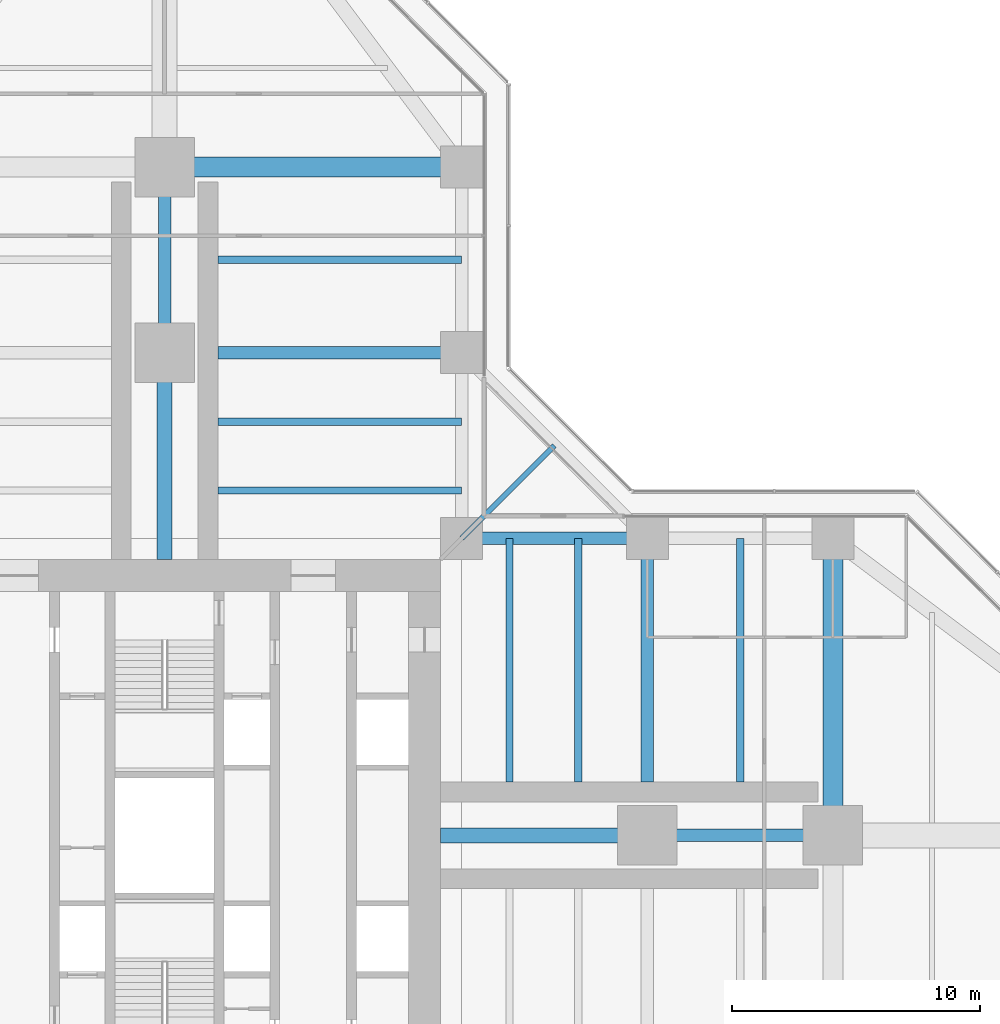
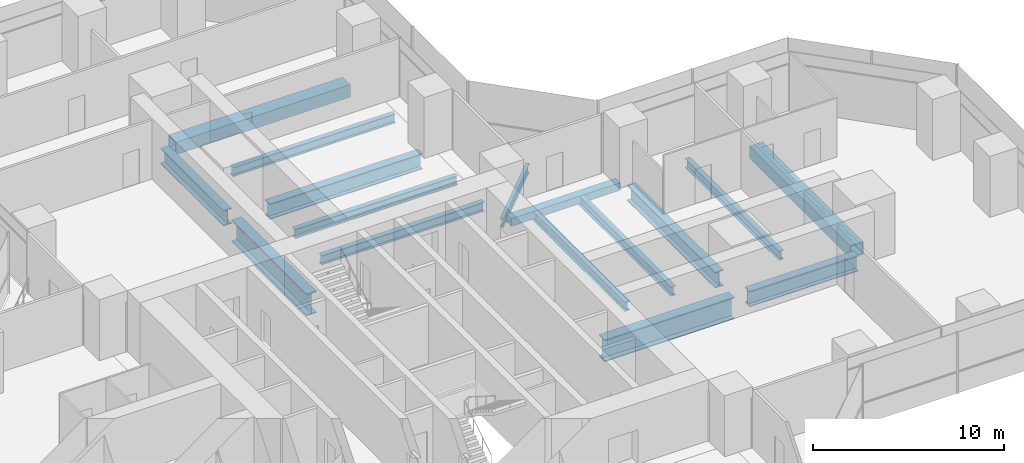
# One storey, part 10 of 22: 16 beams.
"""IFC4 building model written with IfcOpenShell, lengths in metres."""

from ifc_helpers import new_model, si_unit, direction, frame, origin, origin_2d, place, context, subcontext, project, spatial, hollow_rectangle, i_section, extrude, material, material_profile, profile_set, type_object, element, save


model = new_model("IFC4")

# Units and contexts
model_context = context("Model", 3, precision=1e-05, world=origin(), true_north=direction((0.0, 1.0)))
body_context = subcontext(model_context, "Body", "Model", "MODEL_VIEW")
ifc_project = project(units=[si_unit("LENGTHUNIT", "METRE"), si_unit("AREAUNIT", "SQUARE_METRE"), si_unit("VOLUMEUNIT", "CUBIC_METRE"), si_unit("PLANEANGLEUNIT", "RADIAN"), si_unit("MASSUNIT", "GRAM", prefix="KILO")], contexts=[model_context])

# Site, building, storey
site_placement = place(None, origin())
site = spatial("IfcSite", under=ifc_project, at=site_placement, CompositionType="ELEMENT")
building_placement = place(site_placement, origin())
building = spatial("IfcBuilding", under=site, at=building_placement, Name="Mizan Broadcast Tower", CompositionType="ELEMENT")
storey_placement = place(building_placement, frame((0.0, 0.0, 94.199951171875)))
storey = spatial("IfcBuildingStorey", under=building, at=storey_placement, Name="L20", CompositionType="ELEMENT", Elevation=94.199951171875)

# Beams
ifc_material_1 = material(Name="Steel S355", Category="steel")
ifc_material_profile_1 = material_profile(ifc_material_1, hollow_rectangle(XDim=0.5, YDim=0.5, WallThickness=0.030029296875, at=origin_2d()), Name="BOX 500x500x30")
ifc_profile_set_1 = profile_set([ifc_material_profile_1], Name="Steel S355")
beam_type_1 = type_object("IfcBeamType", Name="EDGE BEAM BOX 500x500x30", PredefinedType="SPANDREL", material=ifc_profile_set_1)
beam_1_placement = place(storey_placement, frame((12.449951171875, 12.0, -0.3798828125), z_axis=(1.0, 0.0, 0.0), x_axis=(0.0, 1.0, 0.0)))
element("IfcBeam", 1, at=beam_1_placement, inside=storey, type_object=beam_type_1, Name="Edge beam BOX 500x500x30 L20 east arm", PredefinedType="SPANDREL", context=body_context, shape_type="SweptSolid", body=[
    extrude(hollow_rectangle(XDim=0.5, YDim=0.5, WallThickness=0.030029296875, at=origin_2d()), origin(), (0.0, 0.0, 1.0), 6.60009765625),
])
ifc_material_2 = material(Name="Steel S460", Category="steel")
ifc_material_profile_2 = material_profile(ifc_material_2, hollow_rectangle(XDim=0.800048828125, YDim=0.800048828125, WallThickness=0.050048828125, at=origin_2d()), Name="BOX 800x800x50")
ifc_profile_set_2 = profile_set([ifc_material_profile_2], Name="Steel S460")
beam_type_2 = type_object("IfcBeamType", Name="GIRDER BOX 800x800x50", PredefinedType="BEAM", material=ifc_profile_set_2)
for number, where, z_axis, x_axis, name in (
    (2, (27.0, 11.280029296875, -0.530029296875), (0.0, -1.0, 0.0), (1.0, 0.0, 0.0), "Girder BOX 800x800x50 L20 east arm"),
    (3, (11.280029296875, 27.0, -0.530029296875), (-1.0, 0.0, 0.0), (0.0, -1.0, 0.0), "Girder BOX 800x800x50 L20 north arm"),
):
    element("IfcBeam", number, at=place(storey_placement, frame(where, z_axis=z_axis, x_axis=x_axis)), inside=storey, type_object=beam_type_2, Name=name, PredefinedType="BEAM", context=body_context, shape_type="SweptSolid", body=[
        extrude(hollow_rectangle(XDim=0.800048828125, YDim=0.800048828125, WallThickness=0.050048828125, at=origin_2d()), origin(), (0.0, 0.0, 1.0), 10.56005859375),
    ])
ifc_material_3 = material(Name="Steel S460", Category="steel")
ifc_material_profile_3 = material_profile(ifc_material_3, i_section(OverallWidth=0.5, OverallDepth=1.0, WebThickness=0.02490234375, FlangeThickness=0.050048828125, at=origin_2d()), Name="WPG 1000x500")
ifc_profile_set_3 = profile_set([ifc_material_profile_3], Name="Steel S460")
beam_type_3 = type_object("IfcBeamType", Name="GIRDER WPG 1000x500", PredefinedType="BEAM", material=ifc_profile_set_3)
beam_2_placement = place(storey_placement, frame((19.949951171875, 0.0, -0.6298828125), z_axis=(1.0, 0.0, 0.0), x_axis=(0.0, 1.0, 0.0)))
element("IfcBeam", 4, at=beam_2_placement, inside=storey, type_object=beam_type_3, Name="Girder WPG 1000x500 L20 east arm", PredefinedType="BEAM", context=body_context, shape_type="SweptSolid", body=[
    extrude(i_section(OverallWidth=0.5, OverallDepth=1.0, WebThickness=0.02490234375, FlangeThickness=0.050048828125, at=origin_2d()), origin(), (0.0, 0.0, 1.0), 6.60009765625),
])
beam_3_placement = place(storey_placement, frame((19.5, 11.408935546875, -0.6298828125), z_axis=(0.0, -1.0, 0.0), x_axis=(1.0, 0.0, 0.0)))
element("IfcBeam", 5, at=beam_3_placement, inside=storey, type_object=beam_type_3, Name="Girder WPG 1000x500 L20 east arm", PredefinedType="BEAM", context=body_context, shape_type="SweptSolid", body=[
    extrude(i_section(OverallWidth=0.5, OverallDepth=1.0, WebThickness=0.02490234375, FlangeThickness=0.050048828125, at=origin_2d()), origin(), (0.0, 0.0, 1.0), 9.259033203125),
])
beam_4_placement = place(storey_placement, frame((0.0, 19.949951171875, -0.6298828125), z_axis=(0.0, 1.0, 0.0), x_axis=(-1.0, 0.0, 0.0)))
element("IfcBeam", 6, at=beam_4_placement, inside=storey, type_object=beam_type_3, Name="Girder WPG 1000x500 L20 north arm", PredefinedType="BEAM", context=body_context, shape_type="SweptSolid", body=[
    extrude(i_section(OverallWidth=0.5, OverallDepth=1.0, WebThickness=0.02490234375, FlangeThickness=0.050048828125, at=origin_2d()), origin(), (0.0, 0.0, 1.0), 6.60009765625),
])
beam_5_placement = place(storey_placement, frame((11.408935546875, 19.5, -0.6298828125), z_axis=(-1.0, 0.0, 0.0), x_axis=(0.0, -1.0, 0.0)))
element("IfcBeam", 7, at=beam_5_placement, inside=storey, type_object=beam_type_3, Name="Girder WPG 1000x500 L20 north arm", PredefinedType="BEAM", context=body_context, shape_type="SweptSolid", body=[
    extrude(i_section(OverallWidth=0.5, OverallDepth=1.0, WebThickness=0.02490234375, FlangeThickness=0.050048828125, at=origin_2d()), origin(), (0.0, 0.0, 1.0), 9.259033203125),
])
ifc_material_4 = material(Name="Steel S460", Category="steel")
ifc_material_profile_4 = material_profile(ifc_material_4, i_section(OverallWidth=0.60009765625, OverallDepth=1.39990234375, WebThickness=0.02490234375, FlangeThickness=0.06005859375, at=origin_2d()), Name="WPG 1400x600")
ifc_profile_set_4 = profile_set([ifc_material_profile_4], Name="Steel S460")
beam_type_4 = type_object("IfcBeamType", Name="GIRDER WPG 1400x600", PredefinedType="BEAM", material=ifc_profile_set_4)
for number, where, z_axis, x_axis, name in (
    (8, (11.14990234375, 0.0, -0.829833984375), (1.0, 0.0, 0.0), (0.0, 1.0, 0.0), "Girder WPG 1400x600 L20 east arm"),
    (9, (0.0, 11.14990234375, -0.829833984375), (0.0, 1.0, 0.0), (-1.0, 0.0, 0.0), "Girder WPG 1400x600 L20 north arm"),
):
    element("IfcBeam", number, at=place(storey_placement, frame(where, z_axis=z_axis, x_axis=x_axis)), inside=storey, type_object=beam_type_4, Name=name, PredefinedType="BEAM", context=body_context, shape_type="SweptSolid", body=[
        extrude(i_section(OverallWidth=0.60009765625, OverallDepth=1.39990234375, WebThickness=0.02490234375, FlangeThickness=0.06005859375, at=origin_2d()), origin(), (0.0, 0.0, 1.0), 7.84912109375),
    ])
ifc_material_5 = material(Name="Steel S355", Category="steel")
ifc_material_profile_5 = material_profile(ifc_material_5, i_section(OverallWidth=0.300048828125, OverallDepth=0.590087890625, WebThickness=0.012939453125, FlangeThickness=0.02490234375, FilletRadius=0.027099609375, at=origin_2d()), Name="HEA 600")
ifc_profile_set_5 = profile_set([ifc_material_profile_5], Name="Steel S355")
beam_type_5 = type_object("IfcBeamType", Name="SECONDARY BEAM HEA 600", PredefinedType="JOIST", material=ifc_profile_set_5)
for number, where, z_axis, x_axis, name in (
    (10, (13.933349609375, 12.0, -0.425048828125), (0.0, -1.0, 0.0), (1.0, 0.0, 0.0), "Secondary beam HEA 600 L20 east arm"),
    (11, (16.716552734375, 12.0, -0.425048828125), (0.0, -1.0, 0.0), (1.0, 0.0, 0.0), "Secondary beam HEA 600 L20 east arm"),
    (12, (23.25, 12.0, -0.425048828125), (0.0, -1.0, 0.0), (1.0, 0.0, 0.0), "Secondary beam HEA 600 L20 east arm"),
    (13, (12.0, 13.933349609375, -0.425048828125), (-1.0, 0.0, 0.0), (0.0, -1.0, 0.0), "Secondary beam HEA 600 L20 north arm"),
    (14, (12.0, 16.716552734375, -0.425048828125), (-1.0, 0.0, 0.0), (0.0, -1.0, 0.0), "Secondary beam HEA 600 L20 north arm"),
    (15, (12.0, 23.25, -0.425048828125), (-1.0, 0.0, 0.0), (0.0, -1.0, 0.0), "Secondary beam HEA 600 L20 north arm"),
):
    element("IfcBeam", number, at=place(storey_placement, frame(where, z_axis=z_axis, x_axis=x_axis)), inside=storey, type_object=beam_type_5, Name=name, PredefinedType="JOIST", context=body_context, shape_type="SweptSolid", body=[
        extrude(i_section(OverallWidth=0.300048828125, OverallDepth=0.590087890625, WebThickness=0.012939453125, FlangeThickness=0.02490234375, FilletRadius=0.027099609375, at=origin_2d()), origin(), (0.0, 0.0, 1.0), 9.85009765625),
    ])
ifc_material_6 = material(Name="Steel S355", Category="steel")
ifc_material_profile_6 = material_profile(ifc_material_6, i_section(OverallWidth=0.2099609375, OverallDepth=0.550048828125, WebThickness=0.010986328125, FlangeThickness=0.01708984375, FilletRadius=0.02392578125, at=origin_2d()), Name="IPE 550")
ifc_profile_set_6 = profile_set([ifc_material_profile_6], Name="Steel S355")
beam_type_6 = type_object("IfcBeamType", Name="SECONDARY BEAM IPE 550", PredefinedType="JOIST", material=ifc_profile_set_6)
beam_6_placement = place(storey_placement, frame((12.0, 12.0, -0.405029296875), z_axis=(0.707106781187, 0.707106781187, 0.0), x_axis=(-0.707106781187, 0.707106781187, 0.0)))
element("IfcBeam", 16, at=beam_6_placement, inside=storey, type_object=beam_type_6, Name="Winter garden beam L20 E", PredefinedType="JOIST", context=body_context, shape_type="SweptSolid", body=[
    extrude(i_section(OverallWidth=0.2099609375, OverallDepth=0.550048828125, WebThickness=0.010986328125, FlangeThickness=0.01708984375, FilletRadius=0.02392578125, at=origin_2d()), origin(), (0.0, 0.0, 1.0), 5.30322265625),
])

save(model, "model.ifc")
